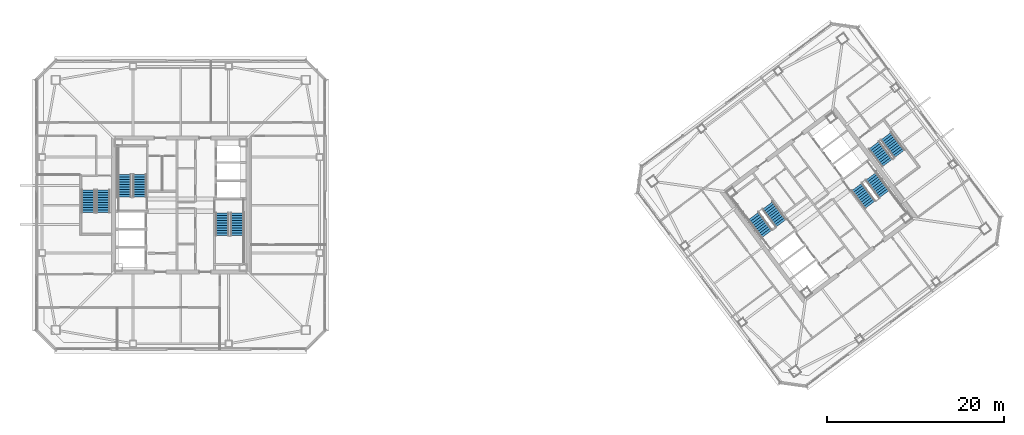
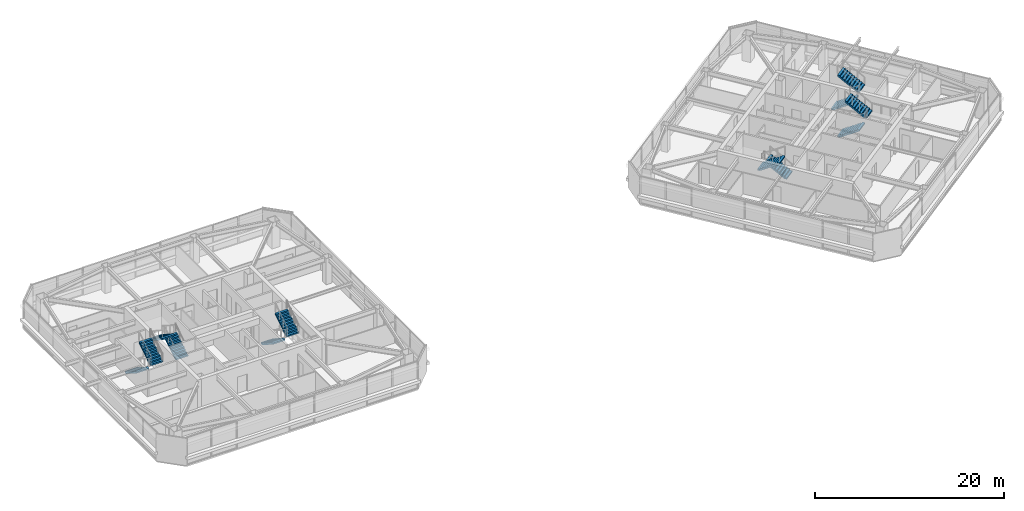
# One storey, part 38 of 44: 12 stair flights, 6 elements without a shape of their own.
"""IFC4 building model written with IfcOpenShell, lengths in metres."""

from ifc_helpers import new_model, si_unit, direction, frame, origin, place, context, subcontext, project, spatial, polyline, outline, extrude, material, type_object, element, aggregate, save


model = new_model("IFC4")

# Units and contexts
model_context = context("Model", 3, precision=1e-05, world=origin(), true_north=direction((0.0, 1.0)))
body_context = subcontext(model_context, "Body", "Model", "MODEL_VIEW")
ifc_project = project(units=[si_unit("LENGTHUNIT", "METRE"), si_unit("AREAUNIT", "SQUARE_METRE"), si_unit("VOLUMEUNIT", "CUBIC_METRE"), si_unit("PLANEANGLEUNIT", "RADIAN"), si_unit("MASSUNIT", "GRAM", prefix="KILO")], contexts=[model_context])

# Site, building, storey
site_placement = place(None, origin())
site = spatial("IfcSite", under=ifc_project, at=site_placement, CompositionType="ELEMENT")
building_placement = place(site_placement, origin())
building = spatial("IfcBuilding", under=site, at=building_placement, Name="Tashvorn Skyway Center", CompositionType="ELEMENT")
storey_placement = place(building_placement, frame((0.0, 0.0, 211.300048828125)))
storey = spatial("IfcBuildingStorey", under=building, at=storey_placement, Name="L57", CompositionType="ELEMENT", Elevation=211.300048828125)

# Stair, stair flights
ifc_material = material(Name="Concrete C40/50", Category="concrete")
stair_type = type_object("IfcStairType", Name="STAIR-CORE-1500", PredefinedType="HALF_TURN_STAIR", material=ifc_material)
stair_1_placement = place(storey_placement, origin())
stair_1 = element("IfcStair", 1, at=stair_1_placement, inside=storey, type_object=stair_type, Name="L57 Tower 1 Exit Stair 1", PredefinedType="HALF_TURN_STAIR")
stair_flight_type = type_object("IfcStairFlightType", Name="SFLIGHT-1500", PredefinedType="STRAIGHT", material=ifc_material)
stair_flight_1_placement = place(storey_placement, frame((37.35009765625, 32.919921875, 0.0), z_axis=(0.0, 0.0, 1.0), x_axis=(0.0, 1.0, 0.0)))
stair_flight_1 = element("IfcStairFlight", 2, at=stair_flight_1_placement, type_object=stair_flight_type, Name="ST-T1-1 flight 1", NumberOfRisers=10, NumberOfTreads=9, PredefinedType="STRAIGHT", RiserHeight=0.1775, TreadLength=0.28, context=body_context, shape_type="SweptSolid", body=[
    extrude(outline(polyline([(0.0, 0.0), (0.0, 0.177490234375), (0.280029296875, 0.177490234375), (0.280029296875, 0.35498046875), (0.56005859375, 0.35498046875), (0.56005859375, 0.532470703125), (0.840087890625, 0.532470703125), (0.840087890625, 0.7099609375), (1.1201171875, 0.7099609375), (1.1201171875, 0.887451171875), (1.39990234375, 0.887451171875), (1.39990234375, 1.06494140625), (1.679931640625, 1.06494140625), (1.679931640625, 1.242431640625), (1.9599609375, 1.242431640625), (1.9599609375, 1.419921875), (2.239990234375, 1.419921875), (2.239990234375, 1.597412109375), (2.52001953125, 1.597412109375), (2.52001953125, 1.77490234375), (2.52001953125, 1.419921875), (0.280029296875, 0.0), (0.0, 0.0)])), frame((0.0, 0.75, 0.0), z_axis=(0.0, -1.0, 0.0), x_axis=(1.0, 0.0, 0.0)), (0.0, 0.0, 1.0), 1.5),
])
stair_flight_2_placement = place(storey_placement, frame((35.64990234375, 35.43994140625, 1.77490234375), z_axis=(0.0, 0.0, 1.0), x_axis=(0.0, -1.0, 0.0)))
stair_flight_2 = element("IfcStairFlight", 3, at=stair_flight_2_placement, type_object=stair_flight_type, Name="ST-T1-1 flight 2", NumberOfRisers=10, NumberOfTreads=9, PredefinedType="STRAIGHT", RiserHeight=0.1775, TreadLength=0.28, context=body_context, shape_type="SweptSolid", body=[
    extrude(outline(polyline([(0.0, 0.0), (0.0, 0.177490234375), (0.280029296875, 0.177490234375), (0.280029296875, 0.35498046875), (0.56005859375, 0.35498046875), (0.56005859375, 0.532470703125), (0.840087890625, 0.532470703125), (0.840087890625, 0.7099609375), (1.1201171875, 0.7099609375), (1.1201171875, 0.887451171875), (1.39990234375, 0.887451171875), (1.39990234375, 1.06494140625), (1.679931640625, 1.06494140625), (1.679931640625, 1.242431640625), (1.9599609375, 1.242431640625), (1.9599609375, 1.419921875), (2.239990234375, 1.419921875), (2.239990234375, 1.597412109375), (2.52001953125, 1.597412109375), (2.52001953125, 1.77490234375), (2.52001953125, 1.419921875), (0.280029296875, 0.0), (0.0, 0.0)])), frame((0.0, 0.75, 0.0), z_axis=(0.0, -1.0, 0.0), x_axis=(1.0, 0.0, 0.0)), (0.0, 0.0, 1.0), 1.5),
])
aggregate(stair_1, [stair_flight_1, stair_flight_2])

stair_2_placement = place(storey_placement, origin())
stair_2 = element("IfcStair", 4, at=stair_2_placement, inside=storey, type_object=stair_type, Name="L57 Tower 1 Exit Stair 2", PredefinedType="HALF_TURN_STAIR")
stair_flight_3_placement = place(storey_placement, frame((46.64990234375, 31.080078125, 0.0), z_axis=(0.0, 0.0, 1.0), x_axis=(0.0, -1.0, 0.0)))
stair_flight_3 = element("IfcStairFlight", 5, at=stair_flight_3_placement, type_object=stair_flight_type, Name="ST-T1-2 flight 1", NumberOfRisers=10, NumberOfTreads=9, PredefinedType="STRAIGHT", RiserHeight=0.1775, TreadLength=0.28, context=body_context, shape_type="SweptSolid", body=[
    extrude(outline(polyline([(0.0, 0.0), (0.0, 0.177490234375), (0.280029296875, 0.177490234375), (0.280029296875, 0.35498046875), (0.56005859375, 0.35498046875), (0.56005859375, 0.532470703125), (0.840087890625, 0.532470703125), (0.840087890625, 0.7099609375), (1.1201171875, 0.7099609375), (1.1201171875, 0.887451171875), (1.39990234375, 0.887451171875), (1.39990234375, 1.06494140625), (1.679931640625, 1.06494140625), (1.679931640625, 1.242431640625), (1.9599609375, 1.242431640625), (1.9599609375, 1.419921875), (2.239990234375, 1.419921875), (2.239990234375, 1.597412109375), (2.52001953125, 1.597412109375), (2.52001953125, 1.77490234375), (2.52001953125, 1.419921875), (0.280029296875, 0.0), (0.0, 0.0)])), frame((0.0, 0.75, 0.0), z_axis=(0.0, -1.0, 0.0), x_axis=(1.0, 0.0, 0.0)), (0.0, 0.0, 1.0), 1.5),
])
stair_flight_4_placement = place(storey_placement, frame((48.35009765625, 28.56005859375, 1.77490234375), z_axis=(0.0, 0.0, 1.0), x_axis=(0.0, 1.0, 0.0)))
stair_flight_4 = element("IfcStairFlight", 6, at=stair_flight_4_placement, type_object=stair_flight_type, Name="ST-T1-2 flight 2", NumberOfRisers=10, NumberOfTreads=9, PredefinedType="STRAIGHT", RiserHeight=0.1775, TreadLength=0.28, context=body_context, shape_type="SweptSolid", body=[
    extrude(outline(polyline([(0.0, 0.0), (0.0, 0.177490234375), (0.280029296875, 0.177490234375), (0.280029296875, 0.35498046875), (0.56005859375, 0.35498046875), (0.56005859375, 0.532470703125), (0.840087890625, 0.532470703125), (0.840087890625, 0.7099609375), (1.1201171875, 0.7099609375), (1.1201171875, 0.887451171875), (1.39990234375, 0.887451171875), (1.39990234375, 1.06494140625), (1.679931640625, 1.06494140625), (1.679931640625, 1.242431640625), (1.9599609375, 1.242431640625), (1.9599609375, 1.419921875), (2.239990234375, 1.419921875), (2.239990234375, 1.597412109375), (2.52001953125, 1.597412109375), (2.52001953125, 1.77490234375), (2.52001953125, 1.419921875), (0.280029296875, 0.0), (0.0, 0.0)])), frame((0.0, 0.75, 0.0), z_axis=(0.0, -1.0, 0.0), x_axis=(1.0, 0.0, 0.0)), (0.0, 0.0, 1.0), 1.5),
])
aggregate(stair_2, [stair_flight_3, stair_flight_4])

stair_3_placement = place(storey_placement, origin())
stair_3 = element("IfcStair", 7, at=stair_3_placement, inside=storey, type_object=stair_type, Name="L57 Tower 2 Exit Stair 1", PredefinedType="HALF_TURN_STAIR")
stair_flight_5_placement = place(storey_placement, frame((109.72802734375, 29.946044921875, 0.0), z_axis=(0.0, 0.0, 1.0), x_axis=(-0.600000004945, 0.799999996291, 0.0)))
stair_flight_5 = element("IfcStairFlight", 8, at=stair_flight_5_placement, type_object=stair_flight_type, Name="ST-T2-1 flight 1", NumberOfRisers=10, NumberOfTreads=9, PredefinedType="STRAIGHT", RiserHeight=0.1775, TreadLength=0.28, context=body_context, shape_type="SweptSolid", body=[
    extrude(outline(polyline([(0.0, 0.0), (0.0, 0.177490234375), (0.280029296875, 0.177490234375), (0.280029296875, 0.35498046875), (0.56005859375, 0.35498046875), (0.56005859375, 0.532470703125), (0.840087890625, 0.532470703125), (0.840087890625, 0.7099609375), (1.1201171875, 0.7099609375), (1.1201171875, 0.887451171875), (1.39990234375, 0.887451171875), (1.39990234375, 1.06494140625), (1.679931640625, 1.06494140625), (1.679931640625, 1.242431640625), (1.9599609375, 1.242431640625), (1.9599609375, 1.419921875), (2.239990234375, 1.419921875), (2.239990234375, 1.597412109375), (2.52001953125, 1.597412109375), (2.52001953125, 1.77490234375), (2.52001953125, 1.419921875), (0.280029296875, 0.0), (0.0, 0.0)])), frame((0.0, 0.75, 0.0), z_axis=(0.0, -1.0, 0.0), x_axis=(1.0, 0.0, 0.0)), (0.0, 0.0, 1.0), 1.5),
])
stair_flight_6_placement = place(storey_placement, frame((106.632080078125, 30.77392578125, 1.77490234375), z_axis=(0.0, 0.0, 1.0), x_axis=(0.600000004945, -0.799999996291, 0.0)))
stair_flight_6 = element("IfcStairFlight", 9, at=stair_flight_6_placement, type_object=stair_flight_type, Name="ST-T2-1 flight 2", NumberOfRisers=10, NumberOfTreads=9, PredefinedType="STRAIGHT", RiserHeight=0.1775, TreadLength=0.28, context=body_context, shape_type="SweptSolid", body=[
    extrude(outline(polyline([(0.0, 0.0), (0.0, 0.177490234375), (0.280029296875, 0.177490234375), (0.280029296875, 0.35498046875), (0.56005859375, 0.35498046875), (0.56005859375, 0.532470703125), (0.840087890625, 0.532470703125), (0.840087890625, 0.7099609375), (1.1201171875, 0.7099609375), (1.1201171875, 0.887451171875), (1.39990234375, 0.887451171875), (1.39990234375, 1.06494140625), (1.679931640625, 1.06494140625), (1.679931640625, 1.242431640625), (1.9599609375, 1.242431640625), (1.9599609375, 1.419921875), (2.239990234375, 1.419921875), (2.239990234375, 1.597412109375), (2.52001953125, 1.597412109375), (2.52001953125, 1.77490234375), (2.52001953125, 1.419921875), (0.280029296875, 0.0), (0.0, 0.0)])), frame((0.0, 0.75, 0.0), z_axis=(0.0, -1.0, 0.0), x_axis=(1.0, 0.0, 0.0)), (0.0, 0.0, 1.0), 1.5),
])
aggregate(stair_3, [stair_flight_5, stair_flight_6])

stair_4_placement = place(storey_placement, origin())
stair_4 = element("IfcStair", 10, at=stair_4_placement, inside=storey, type_object=stair_type, Name="L57 Tower 2 Exit Stair 2", PredefinedType="HALF_TURN_STAIR")
stair_flight_7_placement = place(storey_placement, frame((118.27197265625, 34.053955078125, 0.0), z_axis=(0.0, 0.0, 1.0), x_axis=(0.600000004945, -0.799999996291, 0.0)))
stair_flight_7 = element("IfcStairFlight", 11, at=stair_flight_7_placement, type_object=stair_flight_type, Name="ST-T2-2 flight 1", NumberOfRisers=10, NumberOfTreads=9, PredefinedType="STRAIGHT", RiserHeight=0.1775, TreadLength=0.28, context=body_context, shape_type="SweptSolid", body=[
    extrude(outline(polyline([(0.0, 0.0), (0.0, 0.177490234375), (0.280029296875, 0.177490234375), (0.280029296875, 0.35498046875), (0.56005859375, 0.35498046875), (0.56005859375, 0.532470703125), (0.840087890625, 0.532470703125), (0.840087890625, 0.7099609375), (1.1201171875, 0.7099609375), (1.1201171875, 0.887451171875), (1.39990234375, 0.887451171875), (1.39990234375, 1.06494140625), (1.679931640625, 1.06494140625), (1.679931640625, 1.242431640625), (1.9599609375, 1.242431640625), (1.9599609375, 1.419921875), (2.239990234375, 1.419921875), (2.239990234375, 1.597412109375), (2.52001953125, 1.597412109375), (2.52001953125, 1.77490234375), (2.52001953125, 1.419921875), (0.280029296875, 0.0), (0.0, 0.0)])), frame((0.0, 0.75, 0.0), z_axis=(0.0, -1.0, 0.0), x_axis=(1.0, 0.0, 0.0)), (0.0, 0.0, 1.0), 1.5),
])
stair_flight_8_placement = place(storey_placement, frame((121.367919921875, 33.22607421875, 1.77490234375), z_axis=(0.0, 0.0, 1.0), x_axis=(-0.600000004945, 0.799999996291, 0.0)))
stair_flight_8 = element("IfcStairFlight", 12, at=stair_flight_8_placement, type_object=stair_flight_type, Name="ST-T2-2 flight 2", NumberOfRisers=10, NumberOfTreads=9, PredefinedType="STRAIGHT", RiserHeight=0.1775, TreadLength=0.28, context=body_context, shape_type="SweptSolid", body=[
    extrude(outline(polyline([(0.0, 0.0), (0.0, 0.177490234375), (0.280029296875, 0.177490234375), (0.280029296875, 0.35498046875), (0.56005859375, 0.35498046875), (0.56005859375, 0.532470703125), (0.840087890625, 0.532470703125), (0.840087890625, 0.7099609375), (1.1201171875, 0.7099609375), (1.1201171875, 0.887451171875), (1.39990234375, 0.887451171875), (1.39990234375, 1.06494140625), (1.679931640625, 1.06494140625), (1.679931640625, 1.242431640625), (1.9599609375, 1.242431640625), (1.9599609375, 1.419921875), (2.239990234375, 1.419921875), (2.239990234375, 1.597412109375), (2.52001953125, 1.597412109375), (2.52001953125, 1.77490234375), (2.52001953125, 1.419921875), (0.280029296875, 0.0), (0.0, 0.0)])), frame((0.0, 0.75, 0.0), z_axis=(0.0, -1.0, 0.0), x_axis=(1.0, 0.0, 0.0)), (0.0, 0.0, 1.0), 1.5),
])
aggregate(stair_4, [stair_flight_7, stair_flight_8])

stair_5_placement = place(storey_placement, origin())
stair_5 = element("IfcStair", 13, at=stair_5_placement, inside=storey, type_object=stair_type, Name="L57 Tower 1 Exit Stair 3", PredefinedType="HALF_TURN_STAIR")
stair_flight_9_placement = place(storey_placement, frame((31.550048828125, 33.679931640625, 0.0), z_axis=(0.0, 0.0, 1.0), x_axis=(0.0, -1.0, 0.0)))
stair_flight_9 = element("IfcStairFlight", 14, at=stair_flight_9_placement, type_object=stair_flight_type, Name="ST-T1-3 flight 1", NumberOfRisers=10, NumberOfTreads=9, PredefinedType="STRAIGHT", RiserHeight=0.1775, TreadLength=0.28, context=body_context, shape_type="SweptSolid", body=[
    extrude(outline(polyline([(0.0, 0.0), (0.0, 0.177490234375), (0.280029296875, 0.177490234375), (0.280029296875, 0.35498046875), (0.56005859375, 0.35498046875), (0.56005859375, 0.532470703125), (0.840087890625, 0.532470703125), (0.840087890625, 0.7099609375), (1.1201171875, 0.7099609375), (1.1201171875, 0.887451171875), (1.39990234375, 0.887451171875), (1.39990234375, 1.06494140625), (1.679931640625, 1.06494140625), (1.679931640625, 1.242431640625), (1.9599609375, 1.242431640625), (1.9599609375, 1.419921875), (2.239990234375, 1.419921875), (2.239990234375, 1.597412109375), (2.52001953125, 1.597412109375), (2.52001953125, 1.77490234375), (2.52001953125, 1.419921875), (0.280029296875, 0.0), (0.0, 0.0)])), frame((0.0, 0.75, 0.0), z_axis=(0.0, -1.0, 0.0), x_axis=(1.0, 0.0, 0.0)), (0.0, 0.0, 1.0), 1.5),
])
stair_flight_10_placement = place(storey_placement, frame((33.25, 31.159912109375, 1.77490234375), z_axis=(0.0, 0.0, 1.0), x_axis=(0.0, 1.0, 0.0)))
stair_flight_10 = element("IfcStairFlight", 15, at=stair_flight_10_placement, type_object=stair_flight_type, Name="ST-T1-3 flight 2", NumberOfRisers=10, NumberOfTreads=9, PredefinedType="STRAIGHT", RiserHeight=0.1775, TreadLength=0.28, context=body_context, shape_type="SweptSolid", body=[
    extrude(outline(polyline([(0.0, 0.0), (0.0, 0.177490234375), (0.280029296875, 0.177490234375), (0.280029296875, 0.35498046875), (0.56005859375, 0.35498046875), (0.56005859375, 0.532470703125), (0.840087890625, 0.532470703125), (0.840087890625, 0.7099609375), (1.1201171875, 0.7099609375), (1.1201171875, 0.887451171875), (1.39990234375, 0.887451171875), (1.39990234375, 1.06494140625), (1.679931640625, 1.06494140625), (1.679931640625, 1.242431640625), (1.9599609375, 1.242431640625), (1.9599609375, 1.419921875), (2.239990234375, 1.419921875), (2.239990234375, 1.597412109375), (2.52001953125, 1.597412109375), (2.52001953125, 1.77490234375), (2.52001953125, 1.419921875), (0.280029296875, 0.0), (0.0, 0.0)])), frame((0.0, 0.75, 0.0), z_axis=(0.0, -1.0, 0.0), x_axis=(1.0, 0.0, 0.0)), (0.0, 0.0, 1.0), 1.5),
])
aggregate(stair_5, [stair_flight_9, stair_flight_10])

stair_6_placement = place(storey_placement, origin())
stair_6 = element("IfcStair", 16, at=stair_6_placement, inside=storey, type_object=stair_type, Name="L57 Tower 2 Exit Stair 3", PredefinedType="HALF_TURN_STAIR")
stair_flight_11_placement = place(storey_placement, frame((120.216064453125, 38.761962890625, 0.0), z_axis=(0.0, 0.0, 1.0), x_axis=(0.600000004945, -0.799999996291, 0.0)))
stair_flight_11 = element("IfcStairFlight", 17, at=stair_flight_11_placement, type_object=stair_flight_type, Name="ST-T2-3 flight 1", NumberOfRisers=10, NumberOfTreads=9, PredefinedType="STRAIGHT", RiserHeight=0.1775, TreadLength=0.28, context=body_context, shape_type="SweptSolid", body=[
    extrude(outline(polyline([(0.0, 0.0), (0.0, 0.177490234375), (0.280029296875, 0.177490234375), (0.280029296875, 0.35498046875), (0.56005859375, 0.35498046875), (0.56005859375, 0.532470703125), (0.840087890625, 0.532470703125), (0.840087890625, 0.7099609375), (1.1201171875, 0.7099609375), (1.1201171875, 0.887451171875), (1.39990234375, 0.887451171875), (1.39990234375, 1.06494140625), (1.679931640625, 1.06494140625), (1.679931640625, 1.242431640625), (1.9599609375, 1.242431640625), (1.9599609375, 1.419921875), (2.239990234375, 1.419921875), (2.239990234375, 1.597412109375), (2.52001953125, 1.597412109375), (2.52001953125, 1.77490234375), (2.52001953125, 1.419921875), (0.280029296875, 0.0), (0.0, 0.0)])), frame((0.0, 0.75, 0.0), z_axis=(0.0, -1.0, 0.0), x_axis=(1.0, 0.0, 0.0)), (0.0, 0.0, 1.0), 1.5),
])
stair_flight_12_placement = place(storey_placement, frame((123.087890625, 37.76611328125, 1.77490234375), z_axis=(0.0, 0.0, 1.0), x_axis=(-0.600000004945, 0.799999996291, 0.0)))
stair_flight_12 = element("IfcStairFlight", 18, at=stair_flight_12_placement, type_object=stair_flight_type, Name="ST-T2-3 flight 2", NumberOfRisers=10, NumberOfTreads=9, PredefinedType="STRAIGHT", RiserHeight=0.1775, TreadLength=0.28, context=body_context, shape_type="SweptSolid", body=[
    extrude(outline(polyline([(0.0, 0.0), (0.0, 0.177490234375), (0.280029296875, 0.177490234375), (0.280029296875, 0.35498046875), (0.56005859375, 0.35498046875), (0.56005859375, 0.532470703125), (0.840087890625, 0.532470703125), (0.840087890625, 0.7099609375), (1.1201171875, 0.7099609375), (1.1201171875, 0.887451171875), (1.39990234375, 0.887451171875), (1.39990234375, 1.06494140625), (1.679931640625, 1.06494140625), (1.679931640625, 1.242431640625), (1.9599609375, 1.242431640625), (1.9599609375, 1.419921875), (2.239990234375, 1.419921875), (2.239990234375, 1.597412109375), (2.52001953125, 1.597412109375), (2.52001953125, 1.77490234375), (2.52001953125, 1.419921875), (0.280029296875, 0.0), (0.0, 0.0)])), frame((0.0, 0.75, 0.0), z_axis=(0.0, -1.0, 0.0), x_axis=(1.0, 0.0, 0.0)), (0.0, 0.0, 1.0), 1.5),
])
aggregate(stair_6, [stair_flight_11, stair_flight_12])

save(model, "model.ifc")
